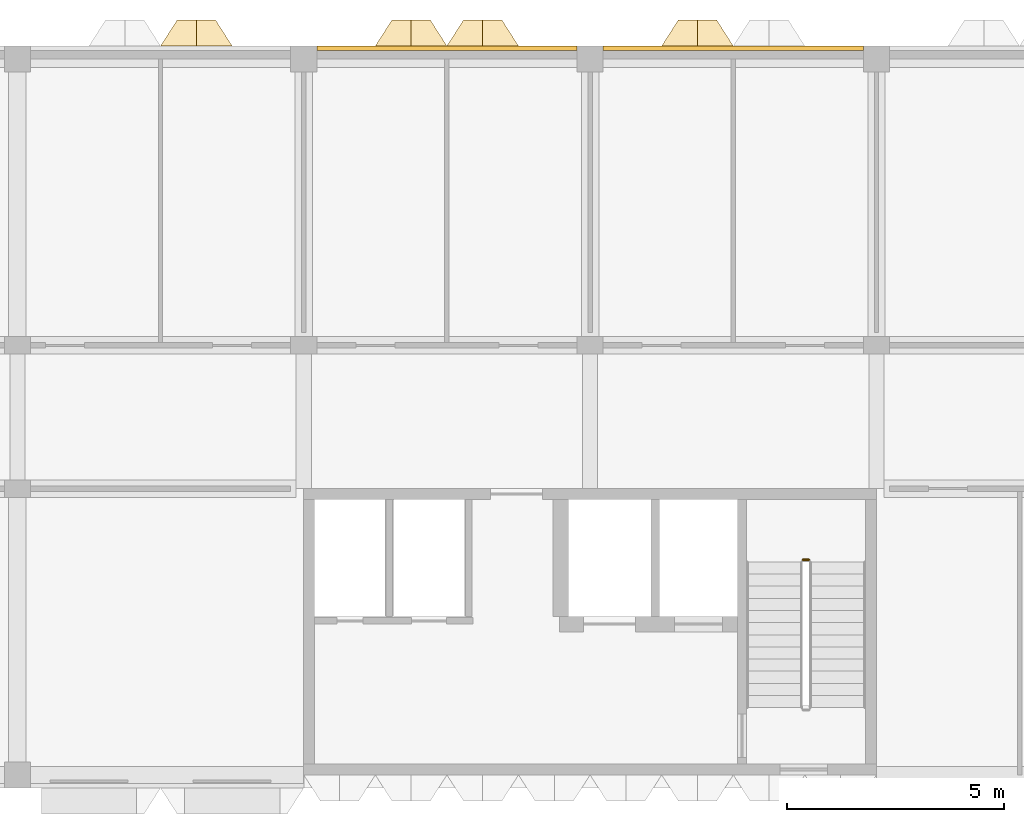
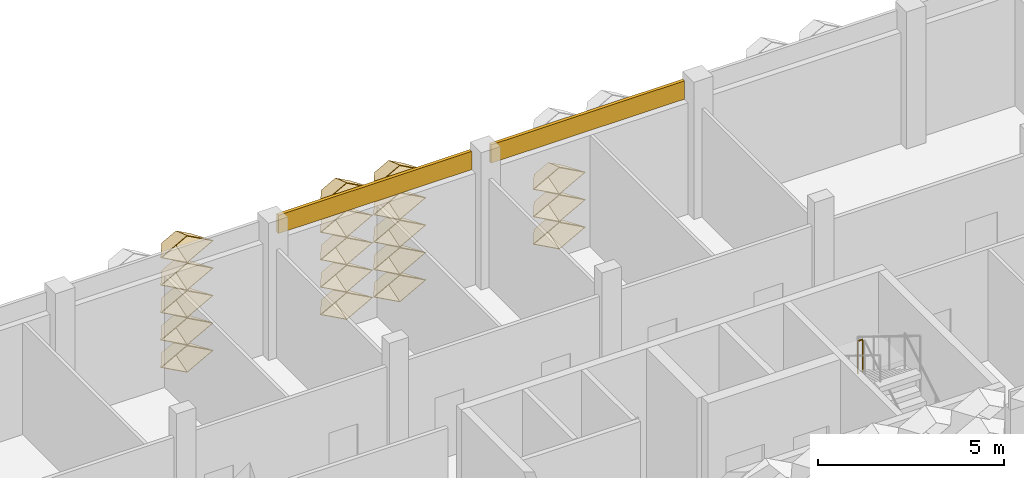
# One storey, part 94 of 109: 20 coverings, 1 railing.
"""IFC4 building model written with IfcOpenShell, lengths in metres."""

from ifc_helpers import new_model, entity, si_unit, direction, frame, frame_2d, origin, origin_2d, place, context, subcontext, project, spatial, rectangle, circle, extrude, material, layer, layer_set, type_object, element, save


model = new_model("IFC4")

# Units and contexts
model_context = context("Model", 3, precision=1e-05, world=origin(), true_north=direction((0.0, 1.0)))
body_context = subcontext(model_context, "Body", "Model", "MODEL_VIEW")
ifc_project = project(units=[si_unit("LENGTHUNIT", "METRE"), si_unit("AREAUNIT", "SQUARE_METRE"), si_unit("VOLUMEUNIT", "CUBIC_METRE"), si_unit("PLANEANGLEUNIT", "RADIAN"), si_unit("MASSUNIT", "GRAM", prefix="KILO")], contexts=[model_context])

# Site, building, storey
site_placement = place(None, origin())
site = spatial("IfcSite", under=ifc_project, at=site_placement, CompositionType="ELEMENT")
building_placement = place(site_placement, origin())
building = spatial("IfcBuilding", under=site, at=building_placement, Name="Lantern Court Research Institute", CompositionType="ELEMENT")
storey_placement = place(building_placement, frame((0.0, 0.0, 14.39990234375)))
storey = spatial("IfcBuildingStorey", under=building, at=storey_placement, Name="L03", CompositionType="ELEMENT", Elevation=14.39990234375)

# Coverings
ifc_material_1 = material(Name="Aluminium composite panel with mineral wool insulation", Category="aluminium")
ifc_layer_1 = layer(ifc_material_1, 0.10009765625)
ifc_layer_set_1 = layer_set([ifc_layer_1], Name="Aluminium composite panel with mineral wool insulation")
covering_type_1 = type_object("IfcCoveringType", Name="Edge fascia panel 100 aluminium faced", PredefinedType="CLADDING", material=ifc_layer_set_1)
for number, where, z_axis, x_axis, name in (
    (1, (39.89990234375, 99.25, 3.650146484375), (0.0, 0.0, 1.0), (1.0, 0.0, 0.0), "Edge fascia V6N L03 06"),
    (2, (46.5, 99.25, 3.650146484375), (0.0, 0.0, 1.0), (1.0, 0.0, 0.0), "Edge fascia V6N L03 07"),
):
    element("IfcCovering", number, at=place(storey_placement, frame(where, z_axis=z_axis, x_axis=x_axis)), inside=storey, type_object=covering_type_1, Name=name, PredefinedType="CLADDING", context=body_context, shape_type="SweptSolid", body=[
        extrude(rectangle(XDim=6.0, YDim=0.10009765625, at=frame_2d((3.0, 0.0))), origin(), (0.0, 0.0, 1.0), 0.599853515625),
    ])
ifc_material_2 = material(Name="Anodised aluminium", Category="aluminium")
ifc_layer_2 = layer(ifc_material_2, 0.01611328125)
ifc_layer_set_2 = layer_set([ifc_layer_2], Name="Anodised aluminium")
covering_type_2 = type_object("IfcCoveringType", Name="Fin cassette 1650 x 900 x 600 aluminium", PredefinedType="CLADDING", material=ifc_layer_set_2)
covering_1_placement = place(storey_placement, frame((37.125, 99.300048828125, 0.4501953125), z_axis=(0.0, 1.0, 0.0), x_axis=(-1.0, 0.0, 0.0)))
cartesian_point_1 = entity("IfcCartesianPoint", [0.824951171875, 0.0])
cartesian_point_2 = entity("IfcCartesianPoint", [0.79150390625, 0.0])
cartesian_point_3 = entity("IfcCartesianPoint", [0.44189453125, 0.0])
cartesian_point_4 = entity("IfcCartesianPoint", [0.43359375, 0.0])
element("IfcCovering", 3, at=covering_1_placement, inside=storey, type_object=covering_type_2, Name="Fin cassette V6N-L03 1.23", PredefinedType="CLADDING", context=body_context, shape_type="SweptSolid", body=[
    entity("IfcExtrudedAreaSolidTapered", entity("IfcArbitraryProfileDefWithVoids", "AREA", None, entity("IfcPolyline", [cartesian_point_1, entity("IfcCartesianPoint", [0.0, 0.449951171875]), entity("IfcCartesianPoint", [-0.824951171875, 0.0]), entity("IfcCartesianPoint", [0.0, -0.449951171875]), cartesian_point_1]), [entity("IfcPolyline", [cartesian_point_2, entity("IfcCartesianPoint", [0.0, 0.431884765625]), entity("IfcCartesianPoint", [-0.79150390625, 0.0]), entity("IfcCartesianPoint", [0.0, -0.431884765625]), cartesian_point_2])]), entity("IfcAxis2Placement3D", entity("IfcCartesianPoint", [0.0, 0.0, 0.0])), entity("IfcDirection", [0.0, 0.0, 1.0]), 0.60009765625, entity("IfcArbitraryProfileDefWithVoids", "AREA", None, entity("IfcPolyline", [cartesian_point_3, entity("IfcCartesianPoint", [0.0, 0.240966796875]), entity("IfcCartesianPoint", [-0.44189453125, 0.0]), entity("IfcCartesianPoint", [0.0, -0.240966796875]), cartesian_point_3]), [entity("IfcPolyline", [cartesian_point_4, entity("IfcCartesianPoint", [0.0, 0.236572265625]), entity("IfcCartesianPoint", [-0.43359375, 0.0]), entity("IfcCartesianPoint", [0.0, -0.236572265625]), cartesian_point_4])])),
])
covering_2_placement = place(storey_placement, frame((42.074951171875, 99.300048828125, 0.4501953125), z_axis=(0.0, 1.0, 0.0), x_axis=(-1.0, 0.0, 0.0)))
cartesian_point_5 = entity("IfcCartesianPoint", [0.824951171875, 0.0])
cartesian_point_6 = entity("IfcCartesianPoint", [0.79150390625, 0.0])
cartesian_point_7 = entity("IfcCartesianPoint", [0.44189453125, 0.0])
cartesian_point_8 = entity("IfcCartesianPoint", [0.43359375, 0.0])
element("IfcCovering", 4, at=covering_2_placement, inside=storey, type_object=covering_type_2, Name="Fin cassette V6N-L03 1.26", PredefinedType="CLADDING", context=body_context, shape_type="SweptSolid", body=[
    entity("IfcExtrudedAreaSolidTapered", entity("IfcArbitraryProfileDefWithVoids", "AREA", None, entity("IfcPolyline", [cartesian_point_5, entity("IfcCartesianPoint", [0.0, 0.449951171875]), entity("IfcCartesianPoint", [-0.824951171875, 0.0]), entity("IfcCartesianPoint", [0.0, -0.449951171875]), cartesian_point_5]), [entity("IfcPolyline", [cartesian_point_6, entity("IfcCartesianPoint", [0.0, 0.431884765625]), entity("IfcCartesianPoint", [-0.79150390625, 0.0]), entity("IfcCartesianPoint", [0.0, -0.431884765625]), cartesian_point_6])]), entity("IfcAxis2Placement3D", entity("IfcCartesianPoint", [0.0, 0.0, 0.0])), entity("IfcDirection", [0.0, 0.0, 1.0]), 0.60009765625, entity("IfcArbitraryProfileDefWithVoids", "AREA", None, entity("IfcPolyline", [cartesian_point_7, entity("IfcCartesianPoint", [0.0, 0.240966796875]), entity("IfcCartesianPoint", [-0.44189453125, 0.0]), entity("IfcCartesianPoint", [0.0, -0.240966796875]), cartesian_point_7]), [entity("IfcPolyline", [cartesian_point_8, entity("IfcCartesianPoint", [0.0, 0.236572265625]), entity("IfcCartesianPoint", [-0.43359375, 0.0]), entity("IfcCartesianPoint", [0.0, -0.236572265625]), cartesian_point_8])])),
])
covering_3_placement = place(storey_placement, frame((43.72509765625, 99.300048828125, 0.4501953125), z_axis=(0.0, 1.0, 0.0), x_axis=(-1.0, 0.0, 0.0)))
cartesian_point_9 = entity("IfcCartesianPoint", [0.824951171875, 0.0])
cartesian_point_10 = entity("IfcCartesianPoint", [0.79150390625, 0.0])
cartesian_point_11 = entity("IfcCartesianPoint", [0.44189453125, 0.0])
cartesian_point_12 = entity("IfcCartesianPoint", [0.43359375, 0.0])
element("IfcCovering", 5, at=covering_3_placement, inside=storey, type_object=covering_type_2, Name="Fin cassette V6N-L03 1.27", PredefinedType="CLADDING", context=body_context, shape_type="SweptSolid", body=[
    entity("IfcExtrudedAreaSolidTapered", entity("IfcArbitraryProfileDefWithVoids", "AREA", None, entity("IfcPolyline", [cartesian_point_9, entity("IfcCartesianPoint", [0.0, 0.449951171875]), entity("IfcCartesianPoint", [-0.824951171875, 0.0]), entity("IfcCartesianPoint", [0.0, -0.449951171875]), cartesian_point_9]), [entity("IfcPolyline", [cartesian_point_10, entity("IfcCartesianPoint", [0.0, 0.431884765625]), entity("IfcCartesianPoint", [-0.79150390625, 0.0]), entity("IfcCartesianPoint", [0.0, -0.431884765625]), cartesian_point_10])]), entity("IfcAxis2Placement3D", entity("IfcCartesianPoint", [0.0, 0.0, 0.0])), entity("IfcDirection", [0.0, 0.0, 1.0]), 0.60009765625, entity("IfcArbitraryProfileDefWithVoids", "AREA", None, entity("IfcPolyline", [cartesian_point_11, entity("IfcCartesianPoint", [0.0, 0.240966796875]), entity("IfcCartesianPoint", [-0.44189453125, 0.0]), entity("IfcCartesianPoint", [0.0, -0.240966796875]), cartesian_point_11]), [entity("IfcPolyline", [cartesian_point_12, entity("IfcCartesianPoint", [0.0, 0.236572265625]), entity("IfcCartesianPoint", [-0.43359375, 0.0]), entity("IfcCartesianPoint", [0.0, -0.236572265625]), cartesian_point_12])])),
])
covering_4_placement = place(storey_placement, frame((48.675048828125, 99.300048828125, 0.4501953125), z_axis=(0.0, 1.0, 0.0), x_axis=(-1.0, 0.0, 0.0)))
cartesian_point_13 = entity("IfcCartesianPoint", [0.824951171875, 0.0])
cartesian_point_14 = entity("IfcCartesianPoint", [0.79150390625, 0.0])
cartesian_point_15 = entity("IfcCartesianPoint", [0.44189453125, 0.0])
cartesian_point_16 = entity("IfcCartesianPoint", [0.43359375, 0.0])
element("IfcCovering", 6, at=covering_4_placement, inside=storey, type_object=covering_type_2, Name="Fin cassette V6N-L03 1.30", PredefinedType="CLADDING", context=body_context, shape_type="SweptSolid", body=[
    entity("IfcExtrudedAreaSolidTapered", entity("IfcArbitraryProfileDefWithVoids", "AREA", None, entity("IfcPolyline", [cartesian_point_13, entity("IfcCartesianPoint", [0.0, 0.449951171875]), entity("IfcCartesianPoint", [-0.824951171875, 0.0]), entity("IfcCartesianPoint", [0.0, -0.449951171875]), cartesian_point_13]), [entity("IfcPolyline", [cartesian_point_14, entity("IfcCartesianPoint", [0.0, 0.431884765625]), entity("IfcCartesianPoint", [-0.79150390625, 0.0]), entity("IfcCartesianPoint", [0.0, -0.431884765625]), cartesian_point_14])]), entity("IfcAxis2Placement3D", entity("IfcCartesianPoint", [0.0, 0.0, 0.0])), entity("IfcDirection", [0.0, 0.0, 1.0]), 0.60009765625, entity("IfcArbitraryProfileDefWithVoids", "AREA", None, entity("IfcPolyline", [cartesian_point_15, entity("IfcCartesianPoint", [0.0, 0.240966796875]), entity("IfcCartesianPoint", [-0.44189453125, 0.0]), entity("IfcCartesianPoint", [0.0, -0.240966796875]), cartesian_point_15]), [entity("IfcPolyline", [cartesian_point_16, entity("IfcCartesianPoint", [0.0, 0.236572265625]), entity("IfcCartesianPoint", [-0.43359375, 0.0]), entity("IfcCartesianPoint", [0.0, -0.236572265625]), cartesian_point_16])])),
])
covering_5_placement = place(storey_placement, frame((37.125, 99.300048828125, 1.35009765625), z_axis=(0.0, 1.0, 0.0), x_axis=(-1.0, 0.0, 0.0)))
cartesian_point_17 = entity("IfcCartesianPoint", [0.824951171875, 0.0])
cartesian_point_18 = entity("IfcCartesianPoint", [0.79150390625, 0.0])
cartesian_point_19 = entity("IfcCartesianPoint", [0.44189453125, 0.0])
cartesian_point_20 = entity("IfcCartesianPoint", [0.43359375, 0.0])
element("IfcCovering", 7, at=covering_5_placement, inside=storey, type_object=covering_type_2, Name="Fin cassette V6N-L03 2.23", PredefinedType="CLADDING", context=body_context, shape_type="SweptSolid", body=[
    entity("IfcExtrudedAreaSolidTapered", entity("IfcArbitraryProfileDefWithVoids", "AREA", None, entity("IfcPolyline", [cartesian_point_17, entity("IfcCartesianPoint", [0.0, 0.449951171875]), entity("IfcCartesianPoint", [-0.824951171875, 0.0]), entity("IfcCartesianPoint", [0.0, -0.449951171875]), cartesian_point_17]), [entity("IfcPolyline", [cartesian_point_18, entity("IfcCartesianPoint", [0.0, 0.431884765625]), entity("IfcCartesianPoint", [-0.79150390625, 0.0]), entity("IfcCartesianPoint", [0.0, -0.431884765625]), cartesian_point_18])]), entity("IfcAxis2Placement3D", entity("IfcCartesianPoint", [0.0, 0.0, 0.0])), entity("IfcDirection", [0.0, 0.0, 1.0]), 0.60009765625, entity("IfcArbitraryProfileDefWithVoids", "AREA", None, entity("IfcPolyline", [cartesian_point_19, entity("IfcCartesianPoint", [0.0, 0.240966796875]), entity("IfcCartesianPoint", [-0.44189453125, 0.0]), entity("IfcCartesianPoint", [0.0, -0.240966796875]), cartesian_point_19]), [entity("IfcPolyline", [cartesian_point_20, entity("IfcCartesianPoint", [0.0, 0.236572265625]), entity("IfcCartesianPoint", [-0.43359375, 0.0]), entity("IfcCartesianPoint", [0.0, -0.236572265625]), cartesian_point_20])])),
])
covering_6_placement = place(storey_placement, frame((42.074951171875, 99.300048828125, 1.35009765625), z_axis=(0.0, 1.0, 0.0), x_axis=(-1.0, 0.0, 0.0)))
cartesian_point_21 = entity("IfcCartesianPoint", [0.824951171875, 0.0])
cartesian_point_22 = entity("IfcCartesianPoint", [0.79150390625, 0.0])
cartesian_point_23 = entity("IfcCartesianPoint", [0.44189453125, 0.0])
cartesian_point_24 = entity("IfcCartesianPoint", [0.43359375, 0.0])
element("IfcCovering", 8, at=covering_6_placement, inside=storey, type_object=covering_type_2, Name="Fin cassette V6N-L03 2.26", PredefinedType="CLADDING", context=body_context, shape_type="SweptSolid", body=[
    entity("IfcExtrudedAreaSolidTapered", entity("IfcArbitraryProfileDefWithVoids", "AREA", None, entity("IfcPolyline", [cartesian_point_21, entity("IfcCartesianPoint", [0.0, 0.449951171875]), entity("IfcCartesianPoint", [-0.824951171875, 0.0]), entity("IfcCartesianPoint", [0.0, -0.449951171875]), cartesian_point_21]), [entity("IfcPolyline", [cartesian_point_22, entity("IfcCartesianPoint", [0.0, 0.431884765625]), entity("IfcCartesianPoint", [-0.79150390625, 0.0]), entity("IfcCartesianPoint", [0.0, -0.431884765625]), cartesian_point_22])]), entity("IfcAxis2Placement3D", entity("IfcCartesianPoint", [0.0, 0.0, 0.0])), entity("IfcDirection", [0.0, 0.0, 1.0]), 0.60009765625, entity("IfcArbitraryProfileDefWithVoids", "AREA", None, entity("IfcPolyline", [cartesian_point_23, entity("IfcCartesianPoint", [0.0, 0.240966796875]), entity("IfcCartesianPoint", [-0.44189453125, 0.0]), entity("IfcCartesianPoint", [0.0, -0.240966796875]), cartesian_point_23]), [entity("IfcPolyline", [cartesian_point_24, entity("IfcCartesianPoint", [0.0, 0.236572265625]), entity("IfcCartesianPoint", [-0.43359375, 0.0]), entity("IfcCartesianPoint", [0.0, -0.236572265625]), cartesian_point_24])])),
])
covering_7_placement = place(storey_placement, frame((43.72509765625, 99.300048828125, 1.35009765625), z_axis=(0.0, 1.0, 0.0), x_axis=(-1.0, 0.0, 0.0)))
cartesian_point_25 = entity("IfcCartesianPoint", [0.824951171875, 0.0])
cartesian_point_26 = entity("IfcCartesianPoint", [0.79150390625, 0.0])
cartesian_point_27 = entity("IfcCartesianPoint", [0.44189453125, 0.0])
cartesian_point_28 = entity("IfcCartesianPoint", [0.43359375, 0.0])
element("IfcCovering", 9, at=covering_7_placement, inside=storey, type_object=covering_type_2, Name="Fin cassette V6N-L03 2.27", PredefinedType="CLADDING", context=body_context, shape_type="SweptSolid", body=[
    entity("IfcExtrudedAreaSolidTapered", entity("IfcArbitraryProfileDefWithVoids", "AREA", None, entity("IfcPolyline", [cartesian_point_25, entity("IfcCartesianPoint", [0.0, 0.449951171875]), entity("IfcCartesianPoint", [-0.824951171875, 0.0]), entity("IfcCartesianPoint", [0.0, -0.449951171875]), cartesian_point_25]), [entity("IfcPolyline", [cartesian_point_26, entity("IfcCartesianPoint", [0.0, 0.431884765625]), entity("IfcCartesianPoint", [-0.79150390625, 0.0]), entity("IfcCartesianPoint", [0.0, -0.431884765625]), cartesian_point_26])]), entity("IfcAxis2Placement3D", entity("IfcCartesianPoint", [0.0, 0.0, 0.0])), entity("IfcDirection", [0.0, 0.0, 1.0]), 0.60009765625, entity("IfcArbitraryProfileDefWithVoids", "AREA", None, entity("IfcPolyline", [cartesian_point_27, entity("IfcCartesianPoint", [0.0, 0.240966796875]), entity("IfcCartesianPoint", [-0.44189453125, 0.0]), entity("IfcCartesianPoint", [0.0, -0.240966796875]), cartesian_point_27]), [entity("IfcPolyline", [cartesian_point_28, entity("IfcCartesianPoint", [0.0, 0.236572265625]), entity("IfcCartesianPoint", [-0.43359375, 0.0]), entity("IfcCartesianPoint", [0.0, -0.236572265625]), cartesian_point_28])])),
])
covering_8_placement = place(storey_placement, frame((48.675048828125, 99.300048828125, 1.35009765625), z_axis=(0.0, 1.0, 0.0), x_axis=(-1.0, 0.0, 0.0)))
cartesian_point_29 = entity("IfcCartesianPoint", [0.824951171875, 0.0])
cartesian_point_30 = entity("IfcCartesianPoint", [0.79150390625, 0.0])
cartesian_point_31 = entity("IfcCartesianPoint", [0.44189453125, 0.0])
cartesian_point_32 = entity("IfcCartesianPoint", [0.43359375, 0.0])
element("IfcCovering", 10, at=covering_8_placement, inside=storey, type_object=covering_type_2, Name="Fin cassette V6N-L03 2.30", PredefinedType="CLADDING", context=body_context, shape_type="SweptSolid", body=[
    entity("IfcExtrudedAreaSolidTapered", entity("IfcArbitraryProfileDefWithVoids", "AREA", None, entity("IfcPolyline", [cartesian_point_29, entity("IfcCartesianPoint", [0.0, 0.449951171875]), entity("IfcCartesianPoint", [-0.824951171875, 0.0]), entity("IfcCartesianPoint", [0.0, -0.449951171875]), cartesian_point_29]), [entity("IfcPolyline", [cartesian_point_30, entity("IfcCartesianPoint", [0.0, 0.431884765625]), entity("IfcCartesianPoint", [-0.79150390625, 0.0]), entity("IfcCartesianPoint", [0.0, -0.431884765625]), cartesian_point_30])]), entity("IfcAxis2Placement3D", entity("IfcCartesianPoint", [0.0, 0.0, 0.0])), entity("IfcDirection", [0.0, 0.0, 1.0]), 0.60009765625, entity("IfcArbitraryProfileDefWithVoids", "AREA", None, entity("IfcPolyline", [cartesian_point_31, entity("IfcCartesianPoint", [0.0, 0.240966796875]), entity("IfcCartesianPoint", [-0.44189453125, 0.0]), entity("IfcCartesianPoint", [0.0, -0.240966796875]), cartesian_point_31]), [entity("IfcPolyline", [cartesian_point_32, entity("IfcCartesianPoint", [0.0, 0.236572265625]), entity("IfcCartesianPoint", [-0.43359375, 0.0]), entity("IfcCartesianPoint", [0.0, -0.236572265625]), cartesian_point_32])])),
])
covering_9_placement = place(storey_placement, frame((37.125, 99.300048828125, 2.25), z_axis=(0.0, 1.0, 0.0), x_axis=(-1.0, 0.0, 0.0)))
cartesian_point_33 = entity("IfcCartesianPoint", [0.824951171875, 0.0])
cartesian_point_34 = entity("IfcCartesianPoint", [0.79150390625, 0.0])
cartesian_point_35 = entity("IfcCartesianPoint", [0.44189453125, 0.0])
cartesian_point_36 = entity("IfcCartesianPoint", [0.43359375, 0.0])
element("IfcCovering", 11, at=covering_9_placement, inside=storey, type_object=covering_type_2, Name="Fin cassette V6N-L03 3.23", PredefinedType="CLADDING", context=body_context, shape_type="SweptSolid", body=[
    entity("IfcExtrudedAreaSolidTapered", entity("IfcArbitraryProfileDefWithVoids", "AREA", None, entity("IfcPolyline", [cartesian_point_33, entity("IfcCartesianPoint", [0.0, 0.449951171875]), entity("IfcCartesianPoint", [-0.824951171875, 0.0]), entity("IfcCartesianPoint", [0.0, -0.449951171875]), cartesian_point_33]), [entity("IfcPolyline", [cartesian_point_34, entity("IfcCartesianPoint", [0.0, 0.431884765625]), entity("IfcCartesianPoint", [-0.79150390625, 0.0]), entity("IfcCartesianPoint", [0.0, -0.431884765625]), cartesian_point_34])]), entity("IfcAxis2Placement3D", entity("IfcCartesianPoint", [0.0, 0.0, 0.0])), entity("IfcDirection", [0.0, 0.0, 1.0]), 0.60009765625, entity("IfcArbitraryProfileDefWithVoids", "AREA", None, entity("IfcPolyline", [cartesian_point_35, entity("IfcCartesianPoint", [0.0, 0.240966796875]), entity("IfcCartesianPoint", [-0.44189453125, 0.0]), entity("IfcCartesianPoint", [0.0, -0.240966796875]), cartesian_point_35]), [entity("IfcPolyline", [cartesian_point_36, entity("IfcCartesianPoint", [0.0, 0.236572265625]), entity("IfcCartesianPoint", [-0.43359375, 0.0]), entity("IfcCartesianPoint", [0.0, -0.236572265625]), cartesian_point_36])])),
])
covering_10_placement = place(storey_placement, frame((42.074951171875, 99.300048828125, 2.25), z_axis=(0.0, 1.0, 0.0), x_axis=(-1.0, 0.0, 0.0)))
cartesian_point_37 = entity("IfcCartesianPoint", [0.824951171875, 0.0])
cartesian_point_38 = entity("IfcCartesianPoint", [0.79150390625, 0.0])
cartesian_point_39 = entity("IfcCartesianPoint", [0.44189453125, 0.0])
cartesian_point_40 = entity("IfcCartesianPoint", [0.43359375, 0.0])
element("IfcCovering", 12, at=covering_10_placement, inside=storey, type_object=covering_type_2, Name="Fin cassette V6N-L03 3.26", PredefinedType="CLADDING", context=body_context, shape_type="SweptSolid", body=[
    entity("IfcExtrudedAreaSolidTapered", entity("IfcArbitraryProfileDefWithVoids", "AREA", None, entity("IfcPolyline", [cartesian_point_37, entity("IfcCartesianPoint", [0.0, 0.449951171875]), entity("IfcCartesianPoint", [-0.824951171875, 0.0]), entity("IfcCartesianPoint", [0.0, -0.449951171875]), cartesian_point_37]), [entity("IfcPolyline", [cartesian_point_38, entity("IfcCartesianPoint", [0.0, 0.431884765625]), entity("IfcCartesianPoint", [-0.79150390625, 0.0]), entity("IfcCartesianPoint", [0.0, -0.431884765625]), cartesian_point_38])]), entity("IfcAxis2Placement3D", entity("IfcCartesianPoint", [0.0, 0.0, 0.0])), entity("IfcDirection", [0.0, 0.0, 1.0]), 0.60009765625, entity("IfcArbitraryProfileDefWithVoids", "AREA", None, entity("IfcPolyline", [cartesian_point_39, entity("IfcCartesianPoint", [0.0, 0.240966796875]), entity("IfcCartesianPoint", [-0.44189453125, 0.0]), entity("IfcCartesianPoint", [0.0, -0.240966796875]), cartesian_point_39]), [entity("IfcPolyline", [cartesian_point_40, entity("IfcCartesianPoint", [0.0, 0.236572265625]), entity("IfcCartesianPoint", [-0.43359375, 0.0]), entity("IfcCartesianPoint", [0.0, -0.236572265625]), cartesian_point_40])])),
])
covering_11_placement = place(storey_placement, frame((43.72509765625, 99.300048828125, 2.25), z_axis=(0.0, 1.0, 0.0), x_axis=(-1.0, 0.0, 0.0)))
cartesian_point_41 = entity("IfcCartesianPoint", [0.824951171875, 0.0])
cartesian_point_42 = entity("IfcCartesianPoint", [0.79150390625, 0.0])
cartesian_point_43 = entity("IfcCartesianPoint", [0.44189453125, 0.0])
cartesian_point_44 = entity("IfcCartesianPoint", [0.43359375, 0.0])
element("IfcCovering", 13, at=covering_11_placement, inside=storey, type_object=covering_type_2, Name="Fin cassette V6N-L03 3.27", PredefinedType="CLADDING", context=body_context, shape_type="SweptSolid", body=[
    entity("IfcExtrudedAreaSolidTapered", entity("IfcArbitraryProfileDefWithVoids", "AREA", None, entity("IfcPolyline", [cartesian_point_41, entity("IfcCartesianPoint", [0.0, 0.449951171875]), entity("IfcCartesianPoint", [-0.824951171875, 0.0]), entity("IfcCartesianPoint", [0.0, -0.449951171875]), cartesian_point_41]), [entity("IfcPolyline", [cartesian_point_42, entity("IfcCartesianPoint", [0.0, 0.431884765625]), entity("IfcCartesianPoint", [-0.79150390625, 0.0]), entity("IfcCartesianPoint", [0.0, -0.431884765625]), cartesian_point_42])]), entity("IfcAxis2Placement3D", entity("IfcCartesianPoint", [0.0, 0.0, 0.0])), entity("IfcDirection", [0.0, 0.0, 1.0]), 0.60009765625, entity("IfcArbitraryProfileDefWithVoids", "AREA", None, entity("IfcPolyline", [cartesian_point_43, entity("IfcCartesianPoint", [0.0, 0.240966796875]), entity("IfcCartesianPoint", [-0.44189453125, 0.0]), entity("IfcCartesianPoint", [0.0, -0.240966796875]), cartesian_point_43]), [entity("IfcPolyline", [cartesian_point_44, entity("IfcCartesianPoint", [0.0, 0.236572265625]), entity("IfcCartesianPoint", [-0.43359375, 0.0]), entity("IfcCartesianPoint", [0.0, -0.236572265625]), cartesian_point_44])])),
])
covering_12_placement = place(storey_placement, frame((48.675048828125, 99.300048828125, 2.25), z_axis=(0.0, 1.0, 0.0), x_axis=(-1.0, 0.0, 0.0)))
cartesian_point_45 = entity("IfcCartesianPoint", [0.824951171875, 0.0])
cartesian_point_46 = entity("IfcCartesianPoint", [0.79150390625, 0.0])
cartesian_point_47 = entity("IfcCartesianPoint", [0.44189453125, 0.0])
cartesian_point_48 = entity("IfcCartesianPoint", [0.43359375, 0.0])
element("IfcCovering", 14, at=covering_12_placement, inside=storey, type_object=covering_type_2, Name="Fin cassette V6N-L03 3.30", PredefinedType="CLADDING", context=body_context, shape_type="SweptSolid", body=[
    entity("IfcExtrudedAreaSolidTapered", entity("IfcArbitraryProfileDefWithVoids", "AREA", None, entity("IfcPolyline", [cartesian_point_45, entity("IfcCartesianPoint", [0.0, 0.449951171875]), entity("IfcCartesianPoint", [-0.824951171875, 0.0]), entity("IfcCartesianPoint", [0.0, -0.449951171875]), cartesian_point_45]), [entity("IfcPolyline", [cartesian_point_46, entity("IfcCartesianPoint", [0.0, 0.431884765625]), entity("IfcCartesianPoint", [-0.79150390625, 0.0]), entity("IfcCartesianPoint", [0.0, -0.431884765625]), cartesian_point_46])]), entity("IfcAxis2Placement3D", entity("IfcCartesianPoint", [0.0, 0.0, 0.0])), entity("IfcDirection", [0.0, 0.0, 1.0]), 0.60009765625, entity("IfcArbitraryProfileDefWithVoids", "AREA", None, entity("IfcPolyline", [cartesian_point_47, entity("IfcCartesianPoint", [0.0, 0.240966796875]), entity("IfcCartesianPoint", [-0.44189453125, 0.0]), entity("IfcCartesianPoint", [0.0, -0.240966796875]), cartesian_point_47]), [entity("IfcPolyline", [cartesian_point_48, entity("IfcCartesianPoint", [0.0, 0.236572265625]), entity("IfcCartesianPoint", [-0.43359375, 0.0]), entity("IfcCartesianPoint", [0.0, -0.236572265625]), cartesian_point_48])])),
])
covering_13_placement = place(storey_placement, frame((37.125, 99.300048828125, 3.150146484375), z_axis=(0.0, 1.0, 0.0), x_axis=(-1.0, 0.0, 0.0)))
cartesian_point_49 = entity("IfcCartesianPoint", [0.824951171875, 0.0])
cartesian_point_50 = entity("IfcCartesianPoint", [0.79150390625, 0.0])
cartesian_point_51 = entity("IfcCartesianPoint", [0.44189453125, 0.0])
cartesian_point_52 = entity("IfcCartesianPoint", [0.43359375, 0.0])
element("IfcCovering", 15, at=covering_13_placement, inside=storey, type_object=covering_type_2, Name="Fin cassette V6N-L03 4.23", PredefinedType="CLADDING", context=body_context, shape_type="SweptSolid", body=[
    entity("IfcExtrudedAreaSolidTapered", entity("IfcArbitraryProfileDefWithVoids", "AREA", None, entity("IfcPolyline", [cartesian_point_49, entity("IfcCartesianPoint", [0.0, 0.449951171875]), entity("IfcCartesianPoint", [-0.824951171875, 0.0]), entity("IfcCartesianPoint", [0.0, -0.449951171875]), cartesian_point_49]), [entity("IfcPolyline", [cartesian_point_50, entity("IfcCartesianPoint", [0.0, 0.431884765625]), entity("IfcCartesianPoint", [-0.79150390625, 0.0]), entity("IfcCartesianPoint", [0.0, -0.431884765625]), cartesian_point_50])]), entity("IfcAxis2Placement3D", entity("IfcCartesianPoint", [0.0, 0.0, 0.0])), entity("IfcDirection", [0.0, 0.0, 1.0]), 0.60009765625, entity("IfcArbitraryProfileDefWithVoids", "AREA", None, entity("IfcPolyline", [cartesian_point_51, entity("IfcCartesianPoint", [0.0, 0.240966796875]), entity("IfcCartesianPoint", [-0.44189453125, 0.0]), entity("IfcCartesianPoint", [0.0, -0.240966796875]), cartesian_point_51]), [entity("IfcPolyline", [cartesian_point_52, entity("IfcCartesianPoint", [0.0, 0.236572265625]), entity("IfcCartesianPoint", [-0.43359375, 0.0]), entity("IfcCartesianPoint", [0.0, -0.236572265625]), cartesian_point_52])])),
])
covering_14_placement = place(storey_placement, frame((42.074951171875, 99.300048828125, 3.150146484375), z_axis=(0.0, 1.0, 0.0), x_axis=(-1.0, 0.0, 0.0)))
cartesian_point_53 = entity("IfcCartesianPoint", [0.824951171875, 0.0])
cartesian_point_54 = entity("IfcCartesianPoint", [0.79150390625, 0.0])
cartesian_point_55 = entity("IfcCartesianPoint", [0.44189453125, 0.0])
cartesian_point_56 = entity("IfcCartesianPoint", [0.43359375, 0.0])
element("IfcCovering", 16, at=covering_14_placement, inside=storey, type_object=covering_type_2, Name="Fin cassette V6N-L03 4.26", PredefinedType="CLADDING", context=body_context, shape_type="SweptSolid", body=[
    entity("IfcExtrudedAreaSolidTapered", entity("IfcArbitraryProfileDefWithVoids", "AREA", None, entity("IfcPolyline", [cartesian_point_53, entity("IfcCartesianPoint", [0.0, 0.449951171875]), entity("IfcCartesianPoint", [-0.824951171875, 0.0]), entity("IfcCartesianPoint", [0.0, -0.449951171875]), cartesian_point_53]), [entity("IfcPolyline", [cartesian_point_54, entity("IfcCartesianPoint", [0.0, 0.431884765625]), entity("IfcCartesianPoint", [-0.79150390625, 0.0]), entity("IfcCartesianPoint", [0.0, -0.431884765625]), cartesian_point_54])]), entity("IfcAxis2Placement3D", entity("IfcCartesianPoint", [0.0, 0.0, 0.0])), entity("IfcDirection", [0.0, 0.0, 1.0]), 0.60009765625, entity("IfcArbitraryProfileDefWithVoids", "AREA", None, entity("IfcPolyline", [cartesian_point_55, entity("IfcCartesianPoint", [0.0, 0.240966796875]), entity("IfcCartesianPoint", [-0.44189453125, 0.0]), entity("IfcCartesianPoint", [0.0, -0.240966796875]), cartesian_point_55]), [entity("IfcPolyline", [cartesian_point_56, entity("IfcCartesianPoint", [0.0, 0.236572265625]), entity("IfcCartesianPoint", [-0.43359375, 0.0]), entity("IfcCartesianPoint", [0.0, -0.236572265625]), cartesian_point_56])])),
])
covering_15_placement = place(storey_placement, frame((43.72509765625, 99.300048828125, 3.150146484375), z_axis=(0.0, 1.0, 0.0), x_axis=(-1.0, 0.0, 0.0)))
cartesian_point_57 = entity("IfcCartesianPoint", [0.824951171875, 0.0])
cartesian_point_58 = entity("IfcCartesianPoint", [0.79150390625, 0.0])
cartesian_point_59 = entity("IfcCartesianPoint", [0.44189453125, 0.0])
cartesian_point_60 = entity("IfcCartesianPoint", [0.43359375, 0.0])
element("IfcCovering", 17, at=covering_15_placement, inside=storey, type_object=covering_type_2, Name="Fin cassette V6N-L03 4.27", PredefinedType="CLADDING", context=body_context, shape_type="SweptSolid", body=[
    entity("IfcExtrudedAreaSolidTapered", entity("IfcArbitraryProfileDefWithVoids", "AREA", None, entity("IfcPolyline", [cartesian_point_57, entity("IfcCartesianPoint", [0.0, 0.449951171875]), entity("IfcCartesianPoint", [-0.824951171875, 0.0]), entity("IfcCartesianPoint", [0.0, -0.449951171875]), cartesian_point_57]), [entity("IfcPolyline", [cartesian_point_58, entity("IfcCartesianPoint", [0.0, 0.431884765625]), entity("IfcCartesianPoint", [-0.79150390625, 0.0]), entity("IfcCartesianPoint", [0.0, -0.431884765625]), cartesian_point_58])]), entity("IfcAxis2Placement3D", entity("IfcCartesianPoint", [0.0, 0.0, 0.0])), entity("IfcDirection", [0.0, 0.0, 1.0]), 0.60009765625, entity("IfcArbitraryProfileDefWithVoids", "AREA", None, entity("IfcPolyline", [cartesian_point_59, entity("IfcCartesianPoint", [0.0, 0.240966796875]), entity("IfcCartesianPoint", [-0.44189453125, 0.0]), entity("IfcCartesianPoint", [0.0, -0.240966796875]), cartesian_point_59]), [entity("IfcPolyline", [cartesian_point_60, entity("IfcCartesianPoint", [0.0, 0.236572265625]), entity("IfcCartesianPoint", [-0.43359375, 0.0]), entity("IfcCartesianPoint", [0.0, -0.236572265625]), cartesian_point_60])])),
])
covering_16_placement = place(storey_placement, frame((37.125, 99.300048828125, 4.050048828125), z_axis=(0.0, 1.0, 0.0), x_axis=(-1.0, 0.0, 0.0)))
cartesian_point_61 = entity("IfcCartesianPoint", [0.824951171875, 0.0])
cartesian_point_62 = entity("IfcCartesianPoint", [0.79150390625, 0.0])
cartesian_point_63 = entity("IfcCartesianPoint", [0.44189453125, 0.0])
cartesian_point_64 = entity("IfcCartesianPoint", [0.43359375, 0.0])
element("IfcCovering", 18, at=covering_16_placement, inside=storey, type_object=covering_type_2, Name="Fin cassette V6N-L03 5.23", PredefinedType="CLADDING", context=body_context, shape_type="SweptSolid", body=[
    entity("IfcExtrudedAreaSolidTapered", entity("IfcArbitraryProfileDefWithVoids", "AREA", None, entity("IfcPolyline", [cartesian_point_61, entity("IfcCartesianPoint", [0.0, 0.449951171875]), entity("IfcCartesianPoint", [-0.824951171875, 0.0]), entity("IfcCartesianPoint", [0.0, -0.449951171875]), cartesian_point_61]), [entity("IfcPolyline", [cartesian_point_62, entity("IfcCartesianPoint", [0.0, 0.431884765625]), entity("IfcCartesianPoint", [-0.79150390625, 0.0]), entity("IfcCartesianPoint", [0.0, -0.431884765625]), cartesian_point_62])]), entity("IfcAxis2Placement3D", entity("IfcCartesianPoint", [0.0, 0.0, 0.0])), entity("IfcDirection", [0.0, 0.0, 1.0]), 0.60009765625, entity("IfcArbitraryProfileDefWithVoids", "AREA", None, entity("IfcPolyline", [cartesian_point_63, entity("IfcCartesianPoint", [0.0, 0.240966796875]), entity("IfcCartesianPoint", [-0.44189453125, 0.0]), entity("IfcCartesianPoint", [0.0, -0.240966796875]), cartesian_point_63]), [entity("IfcPolyline", [cartesian_point_64, entity("IfcCartesianPoint", [0.0, 0.236572265625]), entity("IfcCartesianPoint", [-0.43359375, 0.0]), entity("IfcCartesianPoint", [0.0, -0.236572265625]), cartesian_point_64])])),
])
covering_17_placement = place(storey_placement, frame((42.074951171875, 99.300048828125, 4.050048828125), z_axis=(0.0, 1.0, 0.0), x_axis=(-1.0, 0.0, 0.0)))
cartesian_point_65 = entity("IfcCartesianPoint", [0.824951171875, 0.0])
cartesian_point_66 = entity("IfcCartesianPoint", [0.79150390625, 0.0])
cartesian_point_67 = entity("IfcCartesianPoint", [0.44189453125, 0.0])
cartesian_point_68 = entity("IfcCartesianPoint", [0.43359375, 0.0])
element("IfcCovering", 19, at=covering_17_placement, inside=storey, type_object=covering_type_2, Name="Fin cassette V6N-L03 5.26", PredefinedType="CLADDING", context=body_context, shape_type="SweptSolid", body=[
    entity("IfcExtrudedAreaSolidTapered", entity("IfcArbitraryProfileDefWithVoids", "AREA", None, entity("IfcPolyline", [cartesian_point_65, entity("IfcCartesianPoint", [0.0, 0.449951171875]), entity("IfcCartesianPoint", [-0.824951171875, 0.0]), entity("IfcCartesianPoint", [0.0, -0.449951171875]), cartesian_point_65]), [entity("IfcPolyline", [cartesian_point_66, entity("IfcCartesianPoint", [0.0, 0.431884765625]), entity("IfcCartesianPoint", [-0.79150390625, 0.0]), entity("IfcCartesianPoint", [0.0, -0.431884765625]), cartesian_point_66])]), entity("IfcAxis2Placement3D", entity("IfcCartesianPoint", [0.0, 0.0, 0.0])), entity("IfcDirection", [0.0, 0.0, 1.0]), 0.60009765625, entity("IfcArbitraryProfileDefWithVoids", "AREA", None, entity("IfcPolyline", [cartesian_point_67, entity("IfcCartesianPoint", [0.0, 0.240966796875]), entity("IfcCartesianPoint", [-0.44189453125, 0.0]), entity("IfcCartesianPoint", [0.0, -0.240966796875]), cartesian_point_67]), [entity("IfcPolyline", [cartesian_point_68, entity("IfcCartesianPoint", [0.0, 0.236572265625]), entity("IfcCartesianPoint", [-0.43359375, 0.0]), entity("IfcCartesianPoint", [0.0, -0.236572265625]), cartesian_point_68])])),
])
covering_18_placement = place(storey_placement, frame((43.72509765625, 99.300048828125, 4.050048828125), z_axis=(0.0, 1.0, 0.0), x_axis=(-1.0, 0.0, 0.0)))
cartesian_point_69 = entity("IfcCartesianPoint", [0.824951171875, 0.0])
cartesian_point_70 = entity("IfcCartesianPoint", [0.79150390625, 0.0])
cartesian_point_71 = entity("IfcCartesianPoint", [0.44189453125, 0.0])
cartesian_point_72 = entity("IfcCartesianPoint", [0.43359375, 0.0])
element("IfcCovering", 20, at=covering_18_placement, inside=storey, type_object=covering_type_2, Name="Fin cassette V6N-L03 5.27", PredefinedType="CLADDING", context=body_context, shape_type="SweptSolid", body=[
    entity("IfcExtrudedAreaSolidTapered", entity("IfcArbitraryProfileDefWithVoids", "AREA", None, entity("IfcPolyline", [cartesian_point_69, entity("IfcCartesianPoint", [0.0, 0.449951171875]), entity("IfcCartesianPoint", [-0.824951171875, 0.0]), entity("IfcCartesianPoint", [0.0, -0.449951171875]), cartesian_point_69]), [entity("IfcPolyline", [cartesian_point_70, entity("IfcCartesianPoint", [0.0, 0.431884765625]), entity("IfcCartesianPoint", [-0.79150390625, 0.0]), entity("IfcCartesianPoint", [0.0, -0.431884765625]), cartesian_point_70])]), entity("IfcAxis2Placement3D", entity("IfcCartesianPoint", [0.0, 0.0, 0.0])), entity("IfcDirection", [0.0, 0.0, 1.0]), 0.60009765625, entity("IfcArbitraryProfileDefWithVoids", "AREA", None, entity("IfcPolyline", [cartesian_point_71, entity("IfcCartesianPoint", [0.0, 0.240966796875]), entity("IfcCartesianPoint", [-0.44189453125, 0.0]), entity("IfcCartesianPoint", [0.0, -0.240966796875]), cartesian_point_71]), [entity("IfcPolyline", [cartesian_point_72, entity("IfcCartesianPoint", [0.0, 0.236572265625]), entity("IfcCartesianPoint", [-0.43359375, 0.0]), entity("IfcCartesianPoint", [0.0, -0.236572265625]), cartesian_point_72])])),
])

# Railing
ifc_material_3 = material(Name="Structural steel S355", Category="steel")
railing_type = type_object("IfcRailingType", Name="Stair guard 1100 steel", PredefinedType="GUARDRAIL", material=ifc_material_3)
railing_placement = place(storey_placement, frame((51.25, 87.4599609375, 2.25)))
element("IfcRailing", 21, at=railing_placement, inside=storey, type_object=railing_type, Name="L03 ST-W2 stair guard 2", PredefinedType="GUARDRAIL", context=body_context, shape_type="SweptSolid", body=[
    extrude(circle(Radius=0.02392578125, at=origin_2d()), frame((0.0, 0.0, 1.076171875), z_axis=(-1.0, 0.0, 0.0), x_axis=(0.0, -1.0, 0.0)), (0.0, 0.0, 1.0), 0.14990234375),
    extrude(circle(Radius=0.02099609375, at=origin_2d()), origin(), (0.0, 0.0, 1.0), 1.052001953125),
    extrude(circle(Radius=0.02099609375, at=origin_2d()), frame((-0.14990234375, 0.0, 0.0)), (0.0, 0.0, 1.0), 1.052001953125),
])

save(model, "model.ifc")
